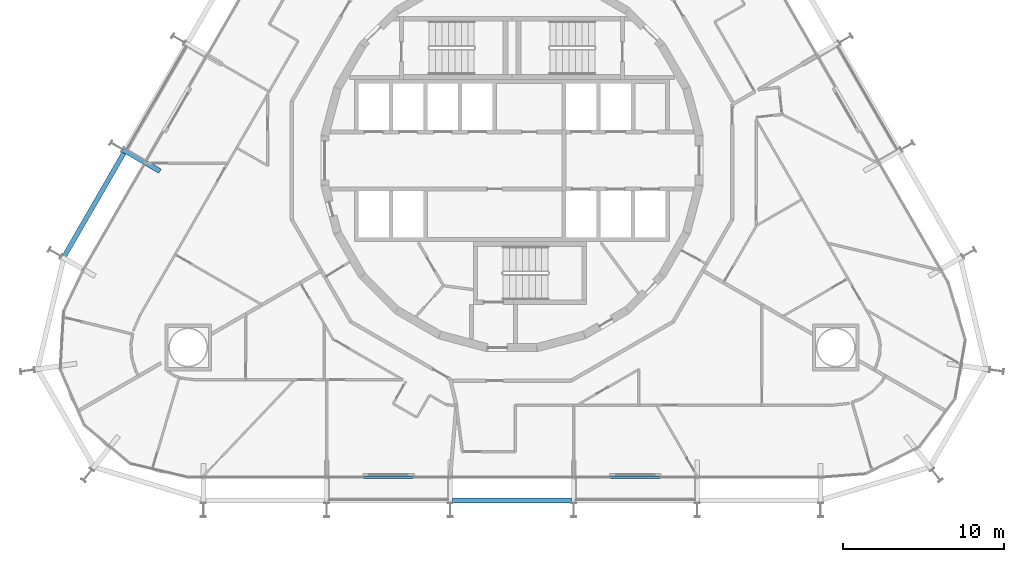
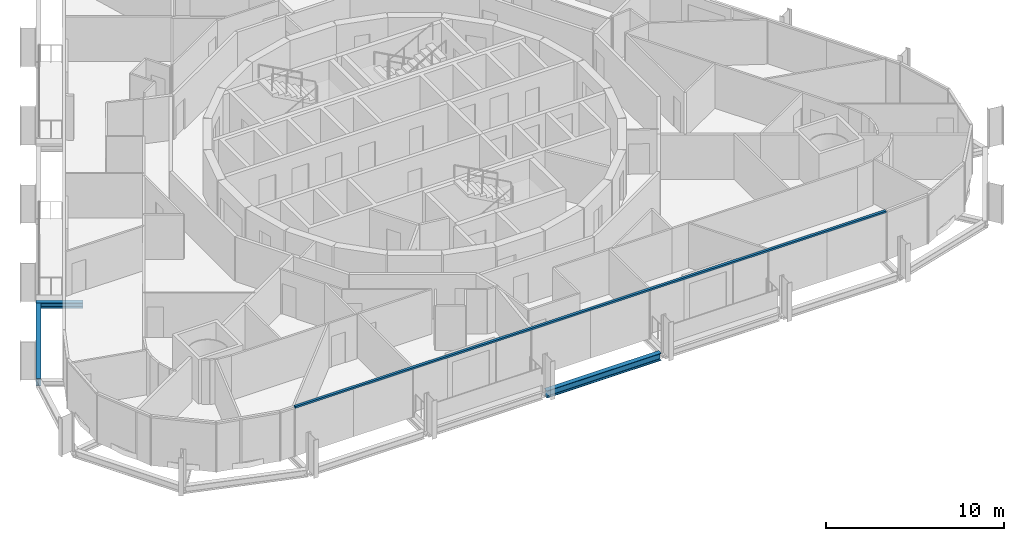
# One storey, part 4 of 20: 3 beams, 1 member, 1 element without a shape of its own.
"""IFC4 building model written with IfcOpenShell, lengths in metres."""

from ifc_helpers import new_model, si_unit, direction, frame, origin, origin_2d, place, context, subcontext, project, spatial, rectangle, i_section, extrude, material, layer, layer_set, material_profile, profile_set, type_object, element, aggregate, save


model = new_model("IFC4")

# Units and contexts
model_context = context("Model", 3, precision=1e-05, world=origin(), true_north=direction((0.0, 1.0)))
body_context = subcontext(model_context, "Body", "Model", "MODEL_VIEW")
ifc_project = project(units=[si_unit("LENGTHUNIT", "METRE"), si_unit("AREAUNIT", "SQUARE_METRE"), si_unit("VOLUMEUNIT", "CUBIC_METRE"), si_unit("PLANEANGLEUNIT", "RADIAN"), si_unit("MASSUNIT", "GRAM", prefix="KILO")], contexts=[model_context])

# Site, building, storey
site_placement = place(None, origin())
site = spatial("IfcSite", under=ifc_project, at=site_placement, CompositionType="ELEMENT")
building_placement = place(site_placement, origin())
building = spatial("IfcBuilding", under=site, at=building_placement, Name="Spindle Arch Residences", CompositionType="ELEMENT")
storey_placement = place(building_placement, frame((0.0, 0.0, 66.39990234375)))
storey = spatial("IfcBuildingStorey", under=building, at=storey_placement, Name="L15", CompositionType="ELEMENT", Elevation=66.39990234375)

# Curtain wall, member
ifc_material_1 = material(Name="Aluminium bronze unitised frame with tinted glass", Category="aluminium")
ifc_layer = layer(ifc_material_1, 0.159912109375)
ifc_layer_set = layer_set([ifc_layer], Name="CW-C typical residential unitised wall")
curtain_wall_type = type_object("IfcCurtainWallType", Name="CW-C typical residential unitised wall", PredefinedType="NOTDEFINED", material=ifc_layer_set)
curtain_wall_placement = place(storey_placement, origin())
curtain_wall = element("IfcCurtainWall", 1, at=curtain_wall_placement, inside=storey, type_object=curtain_wall_type, Name="CW-C L15 run 6", PredefinedType="NOTDEFINED")
ifc_material_2 = material(Name="Aluminium bronze anodised transom", Category="aluminium")
ifc_material_profile_1 = material_profile(ifc_material_2, rectangle(XDim=0.159912109375, YDim=0.1201171875, at=origin_2d()), Name="TR 120x160")
ifc_profile_set_1 = profile_set([ifc_material_profile_1], Name="Aluminium bronze anodised transom")
member_type = type_object("IfcMemberType", Name="Bronze transom 120x160", PredefinedType="USERDEFINED", material=ifc_profile_set_1)
member_placement = place(storey_placement, frame((-19.170166015625, -19.7099609375, 2.989990234375), z_axis=(1.0, 0.0, 0.0), x_axis=(0.0, 1.0, 0.0)))
member = element("IfcMember", 2, at=member_placement, type_object=member_type, Name="CW-C transom 00", ObjectType="TRANSOM", PredefinedType="USERDEFINED", context=body_context, shape_type="SweptSolid", body=[
    extrude(rectangle(XDim=0.159912109375, YDim=0.1201171875, at=origin_2d()), origin(), (0.0, 0.0, 1.0), 38.34033203125),
])
aggregate(curtain_wall, [member])

# Beams
ifc_material_3 = material(Name="Steel S460ML, intumescent coating R 120", Category="steel")
ifc_material_profile_2 = material_profile(ifc_material_3, i_section(OverallWidth=0.300048828125, OverallDepth=0.5, WebThickness=0.014404296875, FlangeThickness=0.028076171875, FilletRadius=0.027099609375, at=origin_2d()), Name="HEB 500")
ifc_profile_set_2 = profile_set([ifc_material_profile_2], Name="Steel S460ML, intumescent coating R 120")
beam_type_1 = type_object("IfcBeamType", Name="Exoskeleton edge beam HEB 500", PredefinedType="BEAM", material=ifc_profile_set_2)
beam_1_placement = place(storey_placement, frame((-24.13525390625, 0.482177734375, -0.6298828125), z_axis=(-0.49998923004, -0.866031621735, 0.0), x_axis=(0.866031621735, -0.49998923004, 0.0)))
element("IfcBeam", 3, at=beam_1_placement, inside=storey, type_object=beam_type_1, Name="Exoskeleton edge beam 18", PredefinedType="BEAM", context=body_context, shape_type="SweptSolid", body=[
    extrude(i_section(OverallWidth=0.300048828125, OverallDepth=0.5, WebThickness=0.014404296875, FlangeThickness=0.028076171875, FilletRadius=0.027099609375, at=origin_2d()), origin(), (0.0, 0.0, 1.0), 7.420166015625),
])
beam_2_placement = place(storey_placement, frame((-3.7099609375, -21.142822265625, -0.6298828125), z_axis=(1.0, 0.0, 0.0), x_axis=(0.0, 1.0, 0.0)))
element("IfcBeam", 4, at=beam_2_placement, inside=storey, type_object=beam_type_1, Name="Exoskeleton edge beam 24", PredefinedType="BEAM", context=body_context, shape_type="SweptSolid", body=[
    extrude(i_section(OverallWidth=0.300048828125, OverallDepth=0.5, WebThickness=0.014404296875, FlangeThickness=0.028076171875, FilletRadius=0.027099609375, at=origin_2d()), origin(), (0.0, 0.0, 1.0), 7.419921875),
])
ifc_material_4 = material(Name="Steel S460ML, intumescent coating R 120", Category="steel")
ifc_material_profile_3 = material_profile(ifc_material_4, i_section(OverallWidth=0.300048828125, OverallDepth=0.389892578125, WebThickness=0.010986328125, FlangeThickness=0.01904296875, FilletRadius=0.027099609375, at=origin_2d()), Name="HEA 400")
ifc_profile_set_3 = profile_set([ifc_material_profile_3], Name="Steel S460ML, intumescent coating R 120")
beam_type_2 = type_object("IfcBeamType", Name="Floor outrigger HEA 400", PredefinedType="BEAM", material=ifc_profile_set_3)
beam_3_placement = place(storey_placement, frame((-24.18896484375, 0.6630859375, -0.574951171875), z_axis=(0.866029095148, -0.499993606316, 0.0), x_axis=(0.499993606316, 0.866029095148, 0.0)))
element("IfcBeam", 5, at=beam_3_placement, inside=storey, type_object=beam_type_2, Name="Floor outrigger 18", PredefinedType="BEAM", context=body_context, shape_type="SweptSolid", body=[
    extrude(i_section(OverallWidth=0.300048828125, OverallDepth=0.389892578125, WebThickness=0.010986328125, FlangeThickness=0.01904296875, FilletRadius=0.027099609375, at=origin_2d()), origin(), (0.0, 0.0, 1.0), 2.64990234375),
])

save(model, "model.ifc")
